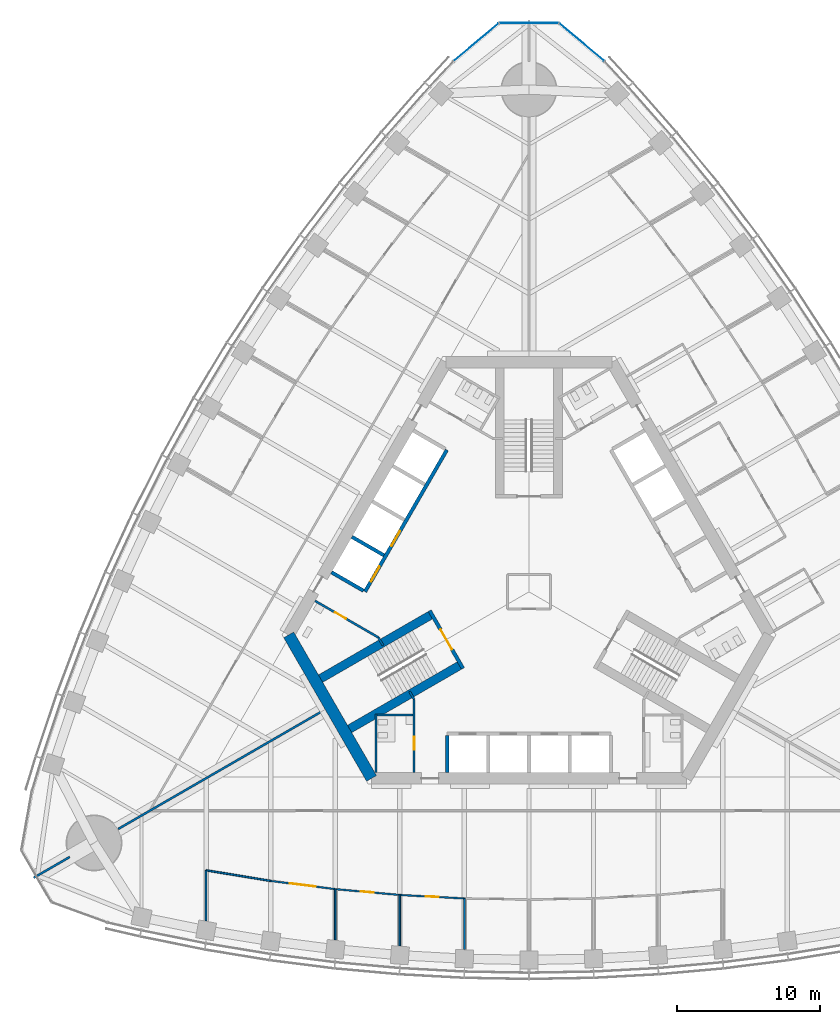
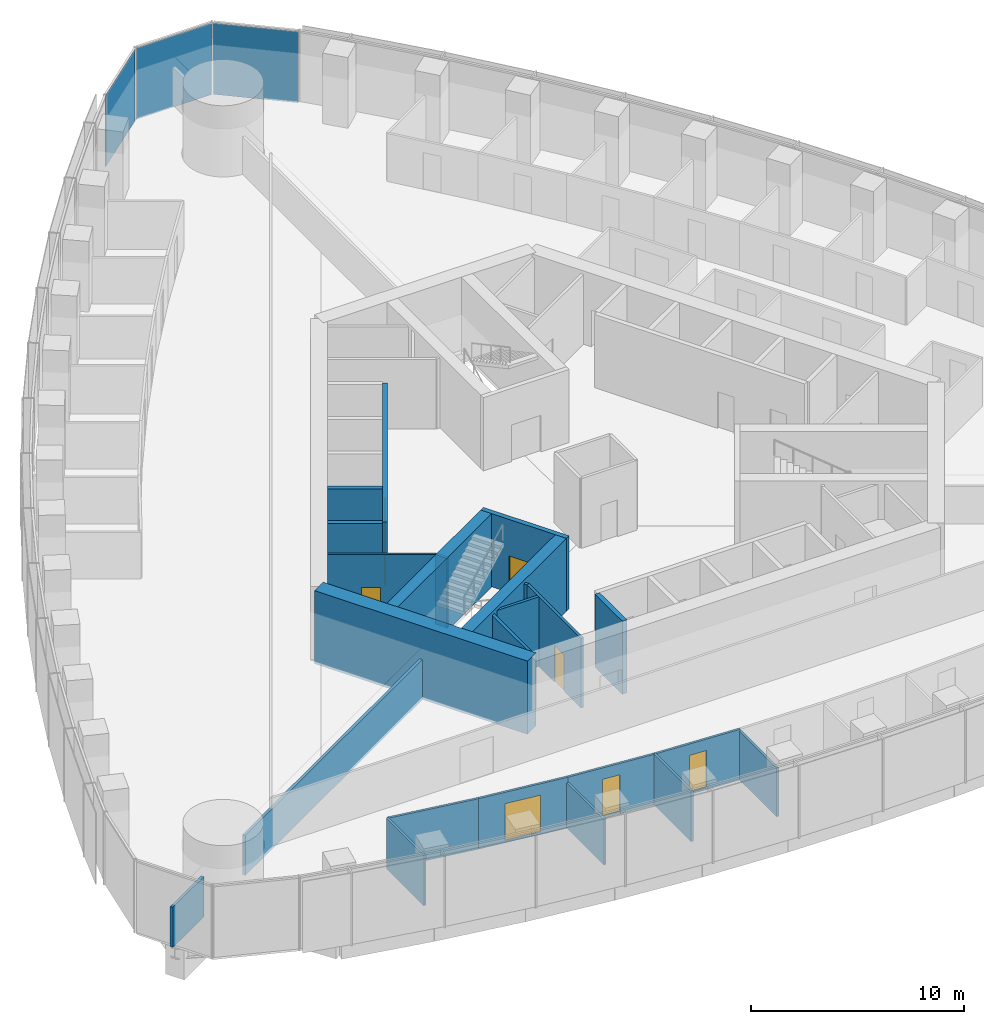
# One storey, part 11 of 21: 24 walls, 8 doors, 3 plates, 8 openings, 1 element without a shape of its own.
"""IFC4 building model written with IfcOpenShell, lengths in metres."""

from ifc_helpers import new_model, si_unit, direction, frame, frame_2d, origin, origin_2d, place, context, subcontext, project, spatial, rectangle, extrude, material, layer, layer_set, type_object, element, fill, aggregate, save


model = new_model("IFC4")

# Units and contexts
model_context = context("Model", 3, precision=1e-05, world=origin(), true_north=direction((0.0, 1.0)))
body_context = subcontext(model_context, "Body", "Model", "MODEL_VIEW")
ifc_project = project(units=[si_unit("LENGTHUNIT", "METRE"), si_unit("AREAUNIT", "SQUARE_METRE"), si_unit("VOLUMEUNIT", "CUBIC_METRE"), si_unit("PLANEANGLEUNIT", "RADIAN"), si_unit("MASSUNIT", "GRAM", prefix="KILO")], contexts=[model_context])

# Site, building, storey
site_placement = place(None, origin())
site = spatial("IfcSite", under=ifc_project, at=site_placement, CompositionType="ELEMENT")
building_placement = place(site_placement, origin())
building = spatial("IfcBuilding", under=site, at=building_placement, Name="Trefoil Bronze Tower", CompositionType="ELEMENT")
storey_placement = place(building_placement, frame((0.0, 0.0, 153.5)))
storey = spatial("IfcBuildingStorey", under=building, at=storey_placement, Name="L35", CompositionType="ELEMENT", Elevation=153.5)

# Curtain wall, plates
ifc_material_1 = material(Name="Tinted solar-control glass", Category="glass")
curtain_wall_type = type_object("IfcCurtainWallType", Name="Bronze rounded corner curtain wall", PredefinedType="USERDEFINED", material=ifc_material_1)
curtain_wall_placement = place(storey_placement, origin())
curtain_wall = element("IfcCurtainWall", 1, at=curtain_wall_placement, inside=storey, type_object=curtain_wall_type, Name="CW-B L35 K2", ObjectType="CURTAIN WALL", PredefinedType="USERDEFINED")
ifc_material_2 = material(Name="Tinted solar-control glass", Category="glass")
ifc_layer_1 = layer(ifc_material_2, 0.030029296875)
ifc_layer_set_1 = layer_set([ifc_layer_1], Name="Bronze rounded corner curtain wall glass panel")
plate_type = type_object("IfcPlateType", Name="Bronze rounded corner curtain wall glass panel", PredefinedType="CURTAIN_PANEL", material=ifc_layer_set_1)
plate_1_placement = place(storey_placement, frame((3.6884765625, 38.294921875, 0.0), z_axis=(0.0, 0.0, 1.0), x_axis=(-0.766044443119, 0.642787609687, 0.0)))
plate_1 = element("IfcPlate", 2, at=plate_1_placement, type_object=plate_type, Name="CW-B L35 K2 panel 1", PredefinedType="CURTAIN_PANEL", context=body_context, shape_type="SweptSolid", body=[
    extrude(rectangle(XDim=4.044189453125, YDim=0.030029296875, at=origin_2d()), origin(), (0.0, 0.0, 1.0), 4.080078125),
])
plate_2_placement = place(storey_placement, frame((0.0, 39.637451171875, 0.0), z_axis=(0.0, 0.0, 1.0), x_axis=(-1.0, 0.0, 0.0)))
plate_2 = element("IfcPlate", 3, at=plate_2_placement, type_object=plate_type, Name="CW-B L35 K2 panel 2", PredefinedType="CURTAIN_PANEL", context=body_context, shape_type="SweptSolid", body=[
    extrude(rectangle(XDim=4.044189453125, YDim=0.030029296875, at=origin_2d()), origin(), (0.0, 0.0, 1.0), 4.080078125),
])
plate_3_placement = place(storey_placement, frame((-3.6884765625, 38.294921875, 0.0), z_axis=(0.0, 0.0, 1.0), x_axis=(-0.766044443119, -0.642787609687, 0.0)))
plate_3 = element("IfcPlate", 4, at=plate_3_placement, type_object=plate_type, Name="CW-B L35 K2 panel 3", PredefinedType="CURTAIN_PANEL", context=body_context, shape_type="SweptSolid", body=[
    extrude(rectangle(XDim=4.044189453125, YDim=0.030029296875, at=origin_2d()), origin(), (0.0, 0.0, 1.0), 4.080078125),
])
aggregate(curtain_wall, [plate_1, plate_2, plate_3])

# Wall
ifc_material_3 = material(Name="Concrete B80", Category="concrete")
ifc_layer_2 = layer(ifc_material_3, 0.800048828125)
ifc_layer_set_2 = layer_set([ifc_layer_2], Name="Core wall 800")
wall_type_1 = type_object("IfcWallType", Name="Core wall 800", PredefinedType="SHEAR", material=ifc_layer_set_2)
wall_1_placement = place(storey_placement, frame((-16.7431640625, -3.0, 0.0), z_axis=(0.0, 0.0, 1.0), x_axis=(0.499995765644, -0.866027848477, 0.0)))
element("IfcWall", 5, at=wall_1_placement, inside=storey, type_object=wall_type_1, Name="Core short wall 3 L35", PredefinedType="SHEAR", context=body_context, shape_type="SweptSolid", body=[
    extrude(rectangle(XDim=11.546875, YDim=0.800048828125, at=frame_2d((5.7734375, 0.0))), origin(), (0.0, 0.0, 1.0), 4.199951171875),
])

# Wall, opening, door
ifc_material_4 = material(Name="Glazed partition", Category="glass")
ifc_layer_3 = layer(ifc_material_4, 0.1201171875)
ifc_layer_set_3 = layer_set([ifc_layer_3], Name="Glazed partition 120")
wall_type_2 = type_object("IfcWallType", Name="Glazed partition 120", PredefinedType="PARTITIONING", material=ifc_layer_set_3)
wall_2_placement = place(storey_placement, frame((-13.5, -20.7177734375, 0.0), z_axis=(0.0, 0.0, 1.0), x_axis=(0.995930325215, -0.090126507295, 0.0)))
wall_2 = element("IfcWall", 6, at=wall_2_placement, inside=storey, type_object=wall_type_2, Name="Partition F1 L35", PredefinedType="PARTITIONING", context=body_context, shape_type="SweptSolid", body=[
    extrude(rectangle(XDim=4.518310546875, YDim=0.1201171875, at=frame_2d((2.25927734375, 0.0))), origin(), (0.0, 0.0, 1.0), 2.89990234375),
])
opening_1_placement = place(wall_2_placement, frame((1.800048828125, 0.0, 0.14990234375)))
opening_1 = element("IfcOpeningElement", 7, at=opening_1_placement, cuts=wall_2, Name="Opening D8", PredefinedType="OPENING", context=body_context, shape_type="SweptSolid", body=[
    extrude(rectangle(XDim=0.89990234375, YDim=2.10009765625, at=frame_2d((0.449951171875, 1.050048828125))), frame((0.0, 0.070068359375, 0.0), z_axis=(0.0, -1.0, 0.0), x_axis=(1.0, 0.0, 0.0)), (0.0, 0.0, 1.0), 0.14013671875),
])
ifc_material_5 = material(Name="Timber door", Category="wood")
door_type_1 = type_object("IfcDoorType", Name="Office door 900", OperationType="SINGLE_SWING_LEFT", PredefinedType="DOOR", material=ifc_material_5)
door_1_placement = place(opening_1_placement, frame((0.89990234375, 0.0, 0.0), z_axis=(0.0, 0.0, 1.0), x_axis=(-1.0, 0.0, 0.0)))
door_1 = element("IfcDoor", 8, at=door_1_placement, inside=storey, type_object=door_type_1, Name="Office door F1 L35", OperationType="SINGLE_SWING_RIGHT", OverallHeight=2.10009765625, OverallWidth=0.89990234375, PredefinedType="DOOR", context=body_context, shape_type="SweptSolid", body=[
    extrude(rectangle(XDim=0.89990234375, YDim=2.10009765625, at=frame_2d((0.449951171875, 1.050048828125))), frame((0.0, 0.02490234375, 0.0), z_axis=(0.0, -1.0, 0.0), x_axis=(1.0, 0.0, 0.0)), (0.0, 0.0, 1.0), 0.050048828125),
])
fill(opening_1, door_1)

wall_3_placement = place(storey_placement, frame((-18.0, -20.1455078125, 0.0), z_axis=(0.0, 0.0, 1.0), x_axis=(0.992010652594, -0.12615413247, 0.0)))
wall_3 = element("IfcWall", 9, at=wall_3_placement, inside=storey, type_object=wall_type_2, Name="Partition F1 L35", PredefinedType="PARTITIONING", context=body_context, shape_type="SweptSolid", body=[
    extrude(rectangle(XDim=4.5361328125, YDim=0.1201171875, at=frame_2d((2.26806640625, 0.0))), origin(), (0.0, 0.0, 1.0), 2.89990234375),
])
opening_2_placement = place(wall_3_placement, frame((1.35009765625, 0.0, 0.14990234375)))
opening_2 = element("IfcOpeningElement", 10, at=opening_2_placement, cuts=wall_3, Name="Opening D10", PredefinedType="OPENING", context=body_context, shape_type="SweptSolid", body=[
    extrude(rectangle(XDim=1.800048828125, YDim=2.10009765625, at=frame_2d((0.89990234375, 1.050048828125))), frame((0.0, 0.070068359375, 0.0), z_axis=(0.0, -1.0, 0.0), x_axis=(1.0, 0.0, 0.0)), (0.0, 0.0, 1.0), 0.14013671875),
])
ifc_material_6 = material(Name="Timber door", Category="wood")
door_type_2 = type_object("IfcDoorType", Name="Double door 1800", OperationType="DOUBLE_DOOR_SINGLE_SWING", PredefinedType="DOOR", material=ifc_material_6)
door_2_placement = place(opening_2_placement, frame((1.800048828125, 0.0, 0.0), z_axis=(0.0, 0.0, 1.0), x_axis=(-1.0, 0.0, 0.0)))
door_2 = element("IfcDoor", 11, at=door_2_placement, inside=storey, type_object=door_type_2, Name="Kitchen and breakout door F1 L35", OperationType="DOUBLE_DOOR_SINGLE_SWING", OverallHeight=2.10009765625, OverallWidth=1.800048828125, PredefinedType="DOOR", context=body_context, shape_type="SweptSolid", body=[
    extrude(rectangle(XDim=1.800048828125, YDim=2.10009765625, at=frame_2d((0.89990234375, 1.050048828125))), frame((0.0, 0.02490234375, 0.0), z_axis=(0.0, -1.0, 0.0), x_axis=(1.0, 0.0, 0.0)), (0.0, 0.0, 1.0), 0.050048828125),
])
fill(opening_2, door_2)

# Wall
wall_4_placement = place(storey_placement, frame((-22.5, -19.406005859375, 0.0), z_axis=(0.0, 0.0, 1.0), x_axis=(0.986764681833, -0.162158757664, 0.0)))
element("IfcWall", 12, at=wall_4_placement, inside=storey, type_object=wall_type_2, Name="Partition F1 L35", PredefinedType="PARTITIONING", context=body_context, shape_type="SweptSolid", body=[
    extrude(rectangle(XDim=4.560302734375, YDim=0.1201171875, at=frame_2d((2.2802734375, 0.0))), origin(), (0.0, 0.0, 1.0), 2.89990234375),
])

# Wall, opening, door
wall_5_placement = place(storey_placement, frame((-9.0, -21.125, 0.0), z_axis=(0.0, 0.0, 1.0), x_axis=(0.998537376538, -0.054065771581, 0.0)))
wall_5 = element("IfcWall", 13, at=wall_5_placement, inside=storey, type_object=wall_type_2, Name="Partition F1 L35", PredefinedType="PARTITIONING", context=body_context, shape_type="SweptSolid", body=[
    extrude(rectangle(XDim=4.506591796875, YDim=0.1201171875, at=frame_2d((2.25341796875, 0.0))), origin(), (0.0, 0.0, 1.0), 2.89990234375),
])
opening_3_placement = place(wall_5_placement, frame((1.800048828125, 0.0, 0.14990234375)))
opening_3 = element("IfcOpeningElement", 14, at=opening_3_placement, cuts=wall_5, Name="Opening D8", PredefinedType="OPENING", context=body_context, shape_type="SweptSolid", body=[
    extrude(rectangle(XDim=0.89990234375, YDim=2.10009765625, at=frame_2d((0.449951171875, 1.050048828125))), frame((0.0, 0.070068359375, 0.0), z_axis=(0.0, -1.0, 0.0), x_axis=(1.0, 0.0, 0.0)), (0.0, 0.0, 1.0), 0.14013671875),
])
door_3_placement = place(opening_3_placement, frame((0.89990234375, 0.0, 0.0), z_axis=(0.0, 0.0, 1.0), x_axis=(-1.0, 0.0, 0.0)))
door_3 = element("IfcDoor", 15, at=door_3_placement, inside=storey, type_object=door_type_1, Name="Office door F1 L35", OperationType="SINGLE_SWING_RIGHT", OverallHeight=2.10009765625, OverallWidth=0.89990234375, PredefinedType="DOOR", context=body_context, shape_type="SweptSolid", body=[
    extrude(rectangle(XDim=0.89990234375, YDim=2.10009765625, at=frame_2d((0.449951171875, 1.050048828125))), frame((0.0, 0.02490234375, 0.0), z_axis=(0.0, -1.0, 0.0), x_axis=(1.0, 0.0, 0.0)), (0.0, 0.0, 1.0), 0.050048828125),
])
fill(opening_3, door_3)

# Walls
wall_6_placement = place(storey_placement, frame((-13.5, -20.7177734375, 0.0), z_axis=(0.0, 0.0, 1.0), x_axis=(0.0, -1.0, 0.0)))
element("IfcWall", 16, at=wall_6_placement, inside=storey, type_object=wall_type_2, Name="Partition F1 L35", PredefinedType="PARTITIONING", context=body_context, shape_type="SweptSolid", body=[
    extrude(rectangle(XDim=3.53662109375, YDim=0.1201171875, at=frame_2d((1.768310546875, 0.0))), origin(), (0.0, 0.0, 1.0), 2.60009765625),
])
wall_7_placement = place(storey_placement, frame((-22.5, -19.406005859375, 0.0), z_axis=(0.0, 0.0, 1.0), x_axis=(0.0, -1.0, 0.0)))
element("IfcWall", 17, at=wall_7_placement, inside=storey, type_object=wall_type_2, Name="Partition F1 L35", PredefinedType="PARTITIONING", context=body_context, shape_type="SweptSolid", body=[
    extrude(rectangle(XDim=3.520751953125, YDim=0.1201171875, at=frame_2d((1.76025390625, 0.0))), origin(), (0.0, 0.0, 1.0), 2.89990234375),
])
wall_8_placement = place(storey_placement, frame((-4.5, -21.36865234375, 0.0), z_axis=(0.0, 0.0, 1.0), x_axis=(0.0, -1.0, 0.0)))
element("IfcWall", 18, at=wall_8_placement, inside=storey, type_object=wall_type_2, Name="Partition F1 L35", PredefinedType="PARTITIONING", context=body_context, shape_type="SweptSolid", body=[
    extrude(rectangle(XDim=3.5439453125, YDim=0.1201171875, at=frame_2d((1.77197265625, 0.0))), origin(), (0.0, 0.0, 1.0), 2.800048828125),
])
wall_9_placement = place(storey_placement, frame((-9.0, -21.125, 0.0), z_axis=(0.0, 0.0, 1.0), x_axis=(0.0, -1.0, 0.0)))
element("IfcWall", 19, at=wall_9_placement, inside=storey, type_object=wall_type_2, Name="Partition F1 L35", PredefinedType="PARTITIONING", context=body_context, shape_type="SweptSolid", body=[
    extrude(rectangle(XDim=3.541259765625, YDim=0.1201171875, at=frame_2d((1.7705078125, 0.0))), origin(), (0.0, 0.0, 1.0), 2.89990234375),
])

# Wall, opening, door
ifc_material_7 = material(Name="Gypsum board on steel studs", Category="steel")
ifc_layer_4 = layer(ifc_material_7, 0.14990234375)
ifc_layer_set_4 = layer_set([ifc_layer_4], Name="Partition 150")
wall_type_3 = type_object("IfcWallType", Name="Partition 150", PredefinedType="PARTITIONING", material=ifc_layer_set_4)
wall_10_placement = place(storey_placement, frame((-8.0, -7.5, 0.0), z_axis=(0.0, 0.0, 1.0), x_axis=(0.0, -1.0, 0.0)))
wall_10 = element("IfcWall", 20, at=wall_10_placement, inside=storey, type_object=wall_type_3, Name="Passage wall F1- L35", PredefinedType="PARTITIONING", context=body_context, shape_type="SweptSolid", body=[
    extrude(rectangle(XDim=5.10009765625, YDim=0.14990234375, at=frame_2d((2.550048828125, 0.0))), origin(), (0.0, 0.0, 1.0), 4.0),
])
opening_4_placement = place(wall_10_placement, frame((2.60009765625, 0.0, 0.0)))
opening_4 = element("IfcOpeningElement", 21, at=opening_4_placement, cuts=wall_10, Name="Opening D3", PredefinedType="OPENING", context=body_context, shape_type="SweptSolid", body=[
    extrude(rectangle(XDim=0.89990234375, YDim=2.10009765625, at=frame_2d((0.449951171875, 1.050048828125))), frame((0.0, 0.0849609375, 0.0), z_axis=(0.0, -1.0, 0.0), x_axis=(1.0, 0.0, 0.0)), (0.0, 0.0, 1.0), 0.169921875),
])
ifc_material_8 = material(Name="Timber door", Category="wood")
door_type_3 = type_object("IfcDoorType", Name="WC door 900", OperationType="SINGLE_SWING_LEFT", PredefinedType="DOOR", material=ifc_material_8)
door_4_placement = place(opening_4_placement, frame((0.89990234375, 0.0, 0.0), z_axis=(0.0, 0.0, 1.0), x_axis=(-1.0, 0.0, 0.0)))
door_4 = element("IfcDoor", 22, at=door_4_placement, inside=storey, type_object=door_type_3, Name="WC (women) door L35", OperationType="SINGLE_SWING_RIGHT", OverallHeight=2.10009765625, OverallWidth=0.89990234375, PredefinedType="DOOR", context=body_context, shape_type="SweptSolid", body=[
    extrude(rectangle(XDim=0.89990234375, YDim=2.10009765625, at=frame_2d((0.449951171875, 1.050048828125))), frame((0.0, 0.02490234375, 0.0), z_axis=(0.0, -1.0, 0.0), x_axis=(1.0, 0.0, 0.0)), (0.0, 0.0, 1.0), 0.050048828125),
])
fill(opening_4, door_4)

wall_11_placement = place(storey_placement, frame((-10.4951171875, -3.17822265625, 0.0), z_axis=(0.0, 0.0, 1.0), x_axis=(-0.86602216432, 0.500005610874, 0.0)))
wall_11 = element("IfcWall", 23, at=wall_11_placement, inside=storey, type_object=wall_type_3, Name="Passage wall F3+ L35", PredefinedType="PARTITIONING", context=body_context, shape_type="SweptSolid", body=[
    extrude(rectangle(XDim=5.10009765625, YDim=0.14990234375, at=frame_2d((2.550048828125, 0.0))), origin(), (0.0, 0.0, 1.0), 4.0),
])
opening_5_placement = place(wall_11_placement, frame((2.60009765625, 0.0, 0.0)))
opening_5 = element("IfcOpeningElement", 24, at=opening_5_placement, cuts=wall_11, Name="Opening D3", PredefinedType="OPENING", context=body_context, shape_type="SweptSolid", body=[
    extrude(rectangle(XDim=0.89990234375, YDim=2.10009765625, at=frame_2d((0.449951171875, 1.050048828125))), frame((0.0, 0.0849609375, 0.0), z_axis=(0.0, -1.0, 0.0), x_axis=(1.0, 0.0, 0.0)), (0.0, 0.0, 1.0), 0.169921875),
])
door_5_placement = place(opening_5_placement, origin())
door_5 = element("IfcDoor", 25, at=door_5_placement, inside=storey, type_object=door_type_3, Name="Accessible WC door L35", OperationType="SINGLE_SWING_RIGHT", OverallHeight=2.10009765625, OverallWidth=0.89990234375, PredefinedType="DOOR", context=body_context, shape_type="SweptSolid", body=[
    extrude(rectangle(XDim=0.89990234375, YDim=2.10009765625, at=frame_2d((0.449951171875, 1.050048828125))), frame((0.0, 0.02490234375, 0.0), z_axis=(0.0, -1.0, 0.0), x_axis=(1.0, 0.0, 0.0)), (0.0, 0.0, 1.0), 0.050048828125),
])
fill(opening_5, door_5)

# Walls
for number, where, z_axis, x_axis, name in (
    (26, (-10.4951171875, -3.17822265625, 0.0), (0.0, 0.0, 1.0), (0.499842556608, -0.866116284689, 0.0), "WC wall ST3-1 L35"),
    (27, (-8.0, -7.5, 0.0), (0.0, 0.0, 1.0), (-0.499842556608, 0.866116284689, 0.0), "WC wall ST3+1 L35"),
):
    element("IfcWall", number, at=place(storey_placement, frame(where, z_axis=z_axis, x_axis=x_axis)), inside=storey, type_object=wall_type_3, Name=name, PredefinedType="PARTITIONING", context=body_context, shape_type="SweptSolid", body=[
        extrude(rectangle(XDim=0.645263671875, YDim=0.14990234375, at=frame_2d((0.32275390625, 0.0))), origin(), (0.0, 0.0, 1.0), 4.0),
    ])
wall_12_placement = place(storey_placement, frame((-10.659912109375, -8.5, 0.0), z_axis=(0.0, 0.0, 1.0), x_axis=(0.0, -1.0, 0.0)))
element("IfcWall", 28, at=wall_12_placement, inside=storey, type_object=wall_type_3, Name="WC partition WC (women) L35", PredefinedType="PARTITIONING", context=body_context, shape_type="SweptSolid", body=[
    extrude(rectangle(XDim=4.10009765625, YDim=0.14990234375, at=frame_2d((2.050048828125, 0.0))), origin(), (0.0, 0.0, 1.0), 4.0),
])
wall_13_placement = place(storey_placement, frame((-8.074951171875, -8.574951171875, 0.0), z_axis=(0.0, 0.0, 1.0), x_axis=(-1.0, 0.0, 0.0)))
element("IfcWall", 29, at=wall_13_placement, inside=storey, type_object=wall_type_3, Name="WC partition WC (women) L35", PredefinedType="PARTITIONING", context=body_context, shape_type="SweptSolid", body=[
    extrude(rectangle(XDim=2.510009765625, YDim=0.14990234375, at=frame_2d((1.2548828125, 0.0))), origin(), (0.0, 0.0, 1.0), 4.0),
])
ifc_material_9 = material(Name="Gypsum board on steel studs", Category="steel")
ifc_layer_5 = layer(ifc_material_9, 0.14990234375)
ifc_layer_set_5 = layer_set([ifc_layer_5], Name="Party wall 150")
wall_type_4 = type_object("IfcWallType", Name="Party wall 150", PredefinedType="PARTITIONING", material=ifc_layer_set_5)
wall_14_placement = place(storey_placement, frame((-14.202880859375, -8.199951171875, 0.0), z_axis=(0.0, 0.0, 1.0), x_axis=(-0.866024668836, -0.500001272966, 0.0)))
element("IfcWall", 30, at=wall_14_placement, inside=storey, type_object=wall_type_4, Name="Party wall K3 L35", PredefinedType="PARTITIONING", context=body_context, shape_type="SweptSolid", body=[
    extrude(rectangle(XDim=16.64990234375, YDim=0.14990234375, at=frame_2d((8.324951171875, 0.0))), origin(), (0.0, 0.0, 1.0), 2.300048828125),
])
wall_15_placement = place(storey_placement, frame((-31.999755859375, -18.47509765625, 0.0), z_axis=(0.0, 0.0, 1.0), x_axis=(-0.866042548026, -0.499970304126, 0.0)))
element("IfcWall", 31, at=wall_15_placement, inside=storey, type_object=wall_type_4, Name="Party wall K3 L35", PredefinedType="PARTITIONING", context=body_context, shape_type="SweptSolid", body=[
    extrude(rectangle(XDim=2.899169921875, YDim=0.14990234375, at=frame_2d((1.44970703125, 0.0))), origin(), (0.0, 0.0, 1.0), 2.300048828125),
])
ifc_material_10 = material(Name="Concrete B80", Category="concrete")
ifc_layer_6 = layer(ifc_material_10, 0.25)
ifc_layer_set_6 = layer_set([ifc_layer_6], Name="Shaft wall 250")
wall_type_5 = type_object("IfcWallType", Name="Shaft wall 250", PredefinedType="SHEAR", material=ifc_layer_set_6)
wall_16_placement = place(storey_placement, frame((-5.699951171875, -10.02490234375, 0.0), z_axis=(0.0, 0.0, 1.0), x_axis=(0.0, -1.0, 0.0)))
element("IfcWall", 32, at=wall_16_placement, inside=storey, type_object=wall_type_5, Name="Lift shaft side wall A0 L35", PredefinedType="SHEAR", context=body_context, shape_type="SweptSolid", body=[
    extrude(rectangle(XDim=2.5751953125, YDim=0.25, at=frame_2d((1.28759765625, 0.0))), origin(), (0.0, 0.0, 1.0), 4.199951171875),
])

# Wall, openings, doors
wall_17_placement = place(storey_placement, frame((-5.7236328125, 9.88623046875, 0.0), z_axis=(0.0, 0.0, 1.0), x_axis=(-0.500001763848, -0.866024385424, 0.0)))
wall_17 = element("IfcWall", 33, at=wall_17_placement, inside=storey, type_object=wall_type_5, Name="Lift shaft front wall C L35", PredefinedType="SHEAR", context=body_context, shape_type="SweptSolid", body=[
    extrude(rectangle(XDim=11.39990234375, YDim=0.25, at=frame_2d((5.699951171875, 0.0))), origin(), (0.0, 0.0, 1.0), 4.199951171875),
])
opening_6_placement = place(wall_17_placement, frame((6.52490234375, 0.0, 0.0)))
opening_6 = element("IfcOpeningElement", 34, at=opening_6_placement, cuts=wall_17, Name="Opening LD-FL1", PredefinedType="OPENING", context=body_context, shape_type="SweptSolid", body=[
    extrude(rectangle(XDim=1.199951171875, YDim=2.199951171875, at=frame_2d((0.60009765625, 1.10009765625))), frame((0.0, 0.135009765625, 0.0), z_axis=(0.0, -1.0, 0.0), x_axis=(1.0, 0.0, 0.0)), (0.0, 0.0, 1.0), 0.27001953125),
])
opening_7_placement = place(wall_17_placement, frame((9.375, 0.0, 0.0)))
opening_7 = element("IfcOpeningElement", 35, at=opening_7_placement, cuts=wall_17, Name="Opening LD-FL2", PredefinedType="OPENING", context=body_context, shape_type="SweptSolid", body=[
    extrude(rectangle(XDim=1.199951171875, YDim=2.199951171875, at=frame_2d((0.60009765625, 1.10009765625))), frame((0.0, 0.135009765625, 0.0), z_axis=(0.0, -1.0, 0.0), x_axis=(1.0, 0.0, 0.0)), (0.0, 0.0, 1.0), 0.27001953125),
])
ifc_material_11 = material(Name="Steel door", Category="steel")
door_type_4 = type_object("IfcDoorType", Name="Lift landing door 1200", OperationType="DOUBLE_DOOR_SLIDING", PredefinedType="DOOR", material=ifc_material_11)
door_6_placement = place(opening_6_placement, origin())
door_6 = element("IfcDoor", 36, at=door_6_placement, inside=storey, type_object=door_type_4, Name="Lift FL1 landing door L35", OperationType="DOUBLE_DOOR_SLIDING", OverallHeight=2.199951171875, OverallWidth=1.199951171875, PredefinedType="DOOR", context=body_context, shape_type="SweptSolid", body=[
    extrude(rectangle(XDim=1.199951171875, YDim=2.199951171875, at=frame_2d((0.60009765625, 1.10009765625))), frame((0.0, 0.02490234375, 0.0), z_axis=(0.0, -1.0, 0.0), x_axis=(1.0, 0.0, 0.0)), (0.0, 0.0, 1.0), 0.050048828125),
])
fill(opening_6, door_6)
door_7_placement = place(opening_7_placement, origin())
door_7 = element("IfcDoor", 37, at=door_7_placement, inside=storey, type_object=door_type_4, Name="Lift FL2 landing door L35", OperationType="DOUBLE_DOOR_SLIDING", OverallHeight=2.199951171875, OverallWidth=1.199951171875, PredefinedType="DOOR", context=body_context, shape_type="SweptSolid", body=[
    extrude(rectangle(XDim=1.199951171875, YDim=2.199951171875, at=frame_2d((0.60009765625, 1.10009765625))), frame((0.0, 0.02490234375, 0.0), z_axis=(0.0, -1.0, 0.0), x_axis=(1.0, 0.0, 0.0)), (0.0, 0.0, 1.0), 0.050048828125),
])
fill(opening_7, door_7)

# Walls
for number, where, z_axis, x_axis, name in (
    (38, (-10.10693359375, 2.54443359375, 0.0), (0.0, 0.0, 1.0), (-0.866046643894, 0.499963209246, 0.0), "Lift shaft side wall C3 L35"),
    (39, (-11.531982421875, 0.076171875, 0.0), (0.0, 0.0, 1.0), (-0.866005588531, 0.500034319456, 0.0), "Lift shaft side wall C4 L35"),
):
    element("IfcWall", number, at=place(storey_placement, frame(where, z_axis=z_axis, x_axis=x_axis)), inside=storey, type_object=wall_type_5, Name=name, PredefinedType="SHEAR", context=body_context, shape_type="SweptSolid", body=[
        extrude(rectangle(XDim=2.574951171875, YDim=0.25, at=frame_2d((1.28759765625, 0.0))), origin(), (0.0, 0.0, 1.0), 4.199951171875),
    ])

# Wall, opening, door
wall_18_placement = place(storey_placement, frame((-6.921630859375, -1.3115234375, 0.0), z_axis=(0.0, 0.0, 1.0), x_axis=(0.499984536904, -0.866034331223, 0.0)))
wall_18 = element("IfcWall", 40, at=wall_18_placement, inside=storey, type_object=wall_type_5, Name="Stair end wall ST3 L35", PredefinedType="SHEAR", context=body_context, shape_type="SweptSolid", body=[
    extrude(rectangle(XDim=4.650146484375, YDim=0.25, at=frame_2d((2.3251953125, 0.0))), origin(), (0.0, 0.0, 1.0), 4.199951171875),
])
opening_8_placement = place(wall_18_placement, frame((1.52490234375, 0.0, 0.0)))
opening_8 = element("IfcOpeningElement", 41, at=opening_8_placement, cuts=wall_18, Name="Opening D1", PredefinedType="OPENING", context=body_context, shape_type="SweptSolid", body=[
    extrude(rectangle(XDim=1.60009765625, YDim=2.10009765625, at=frame_2d((0.800048828125, 1.050048828125))), frame((0.0, 0.135009765625, 0.0), z_axis=(0.0, -1.0, 0.0), x_axis=(1.0, 0.0, 0.0)), (0.0, 0.0, 1.0), 0.27001953125),
])
ifc_material_12 = material(Name="Steel door", Category="steel")
door_type_5 = type_object("IfcDoorType", Name="Stair door 1600", OperationType="DOUBLE_DOOR_SINGLE_SWING", PredefinedType="DOOR", material=ifc_material_12)
door_8_placement = place(opening_8_placement, frame((1.60009765625, 0.0, 0.0), z_axis=(0.0, 0.0, 1.0), x_axis=(-1.0, 0.0, 0.0)))
door_8 = element("IfcDoor", 42, at=door_8_placement, inside=storey, type_object=door_type_5, Name="Stair door ST3 L35", OperationType="DOUBLE_DOOR_SINGLE_SWING", OverallHeight=2.10009765625, OverallWidth=1.60009765625, PredefinedType="DOOR", context=body_context, shape_type="SweptSolid", body=[
    extrude(rectangle(XDim=1.60009765625, YDim=2.10009765625, at=frame_2d((0.800048828125, 1.050048828125))), frame((0.0, 0.02490234375, 0.0), z_axis=(0.0, -1.0, 0.0), x_axis=(1.0, 0.0, 0.0)), (0.0, 0.0, 1.0), 0.050048828125),
])
fill(opening_8, door_8)

# Walls
ifc_material_13 = material(Name="Concrete B80", Category="concrete")
ifc_layer_7 = layer(ifc_material_13, 0.60009765625)
ifc_layer_set_7 = layer_set([ifc_layer_7], Name="Stair wall 600")
wall_type_6 = type_object("IfcWallType", Name="Stair wall 600", PredefinedType="SHEAR", material=ifc_layer_set_7)
for number, where, z_axis, x_axis, name in (
    (43, (-6.663330078125, -1.5087890625, 0.0), (0.0, 0.0, 1.0), (-0.866019375473, -0.500010441196, 0.0), "Stair wall ST3 L35"),
    (44, (-4.638427734375, -5.01611328125, 0.0), (0.0, 0.0, 1.0), (-0.866019375473, -0.500010441196, 0.0), "Stair wall ST3 L35"),
):
    element("IfcWall", number, at=place(storey_placement, frame(where, z_axis=z_axis, x_axis=x_axis)), inside=storey, type_object=wall_type_6, Name=name, PredefinedType="SHEAR", context=body_context, shape_type="SweptSolid", body=[
        extrude(rectangle(XDim=9.074951171875, YDim=0.60009765625, at=frame_2d((4.53759765625, 0.0))), origin(), (0.0, 0.0, 1.0), 4.199951171875),
    ])

save(model, "model.ifc")
